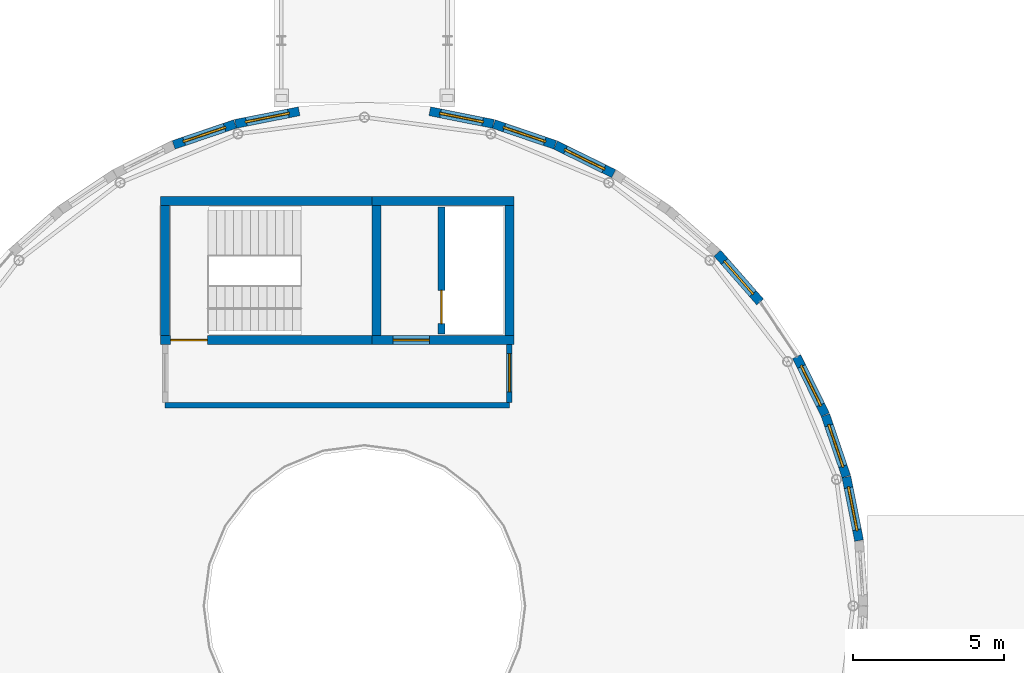
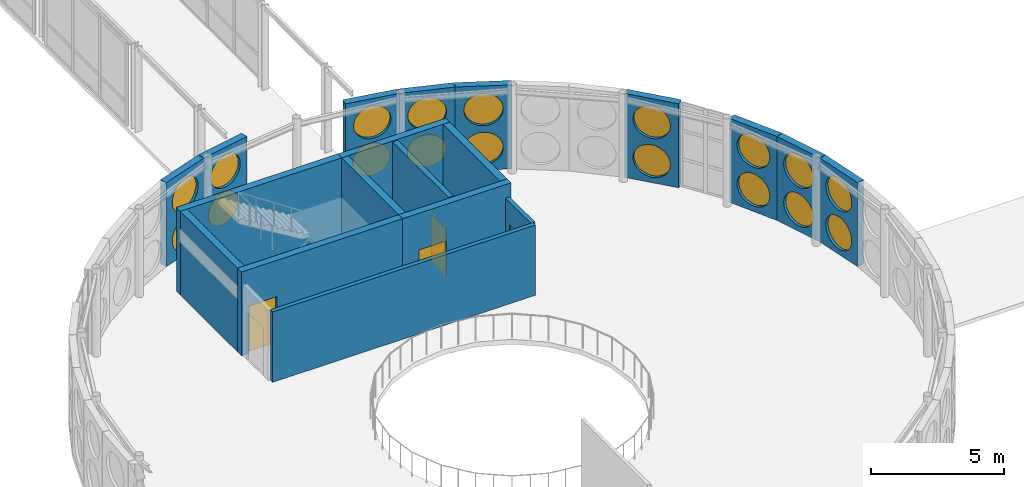
# One storey, part 161 of 189: 19 walls, 18 windows, 4 doors, 22 openings.
"""IFC4 building model written with IfcOpenShell, lengths in metres."""

from ifc_helpers import new_model, si_unit, direction, frame, frame_2d, origin, place, context, subcontext, project, spatial, rectangle, circle, extrude, material, layer, layer_set, type_object, element, fill, save


model = new_model("IFC4")

# Units and contexts
model_context = context("Model", 3, precision=1e-05, world=origin(), true_north=direction((0.0, 1.0)))
body_context = subcontext(model_context, "Body", "Model", "MODEL_VIEW")
ifc_project = project(units=[si_unit("LENGTHUNIT", "METRE"), si_unit("AREAUNIT", "SQUARE_METRE"), si_unit("VOLUMEUNIT", "CUBIC_METRE"), si_unit("PLANEANGLEUNIT", "RADIAN"), si_unit("MASSUNIT", "GRAM", prefix="KILO")], contexts=[model_context])

# Site, building, storey
site_placement = place(None, origin())
site = spatial("IfcSite", under=ifc_project, at=site_placement, CompositionType="ELEMENT")
building_placement = place(site_placement, origin())
building = spatial("IfcBuilding", under=site, at=building_placement, Name="Montecoro Central Library", CompositionType="ELEMENT")
storey_placement = place(building_placement, frame((0.0, 0.0, 9.179931640625)))
storey = spatial("IfcBuildingStorey", under=building, at=storey_placement, Name="L02", CompositionType="ELEMENT", Elevation=9.179931640625)

# Wall, openings, windows
ifc_material_1 = material(Name="Travertine Roman Stone and concrete C35/45", Category="masonry")
ifc_layer_1 = layer(ifc_material_1, 0.294921875)
ifc_layer_set_1 = layer_set([ifc_layer_1], Name="Travertine Roman Stone and concrete C35/45")
wall_type_1 = type_object("IfcWallType", Name="EW-DRM-295", PredefinedType="SOLIDWALL", material=ifc_layer_set_1)
wall_1_placement = place(storey_placement, frame((107.97705078125, 37.56396484375, 0.0), z_axis=(0.0, 0.0, 1.0), x_axis=(-0.194846526766, 0.980833742796, 0.0)))
wall_1 = element("IfcWall", 1, at=wall_1_placement, inside=storey, type_object=wall_type_1, Name="V1-L02-EW-02", PredefinedType="SOLIDWALL", context=body_context, shape_type="SweptSolid", body=[
    extrude(rectangle(XDim=2.14501953125, YDim=0.294921875, at=frame_2d((1.072509765625, 0.0))), origin(), (0.0, 0.0, 1.0), 3.85498046875),
])
opening_1_placement = place(wall_1_placement, frame((0.3330078125, 0.0, 0.25)))
opening_1 = element("IfcOpeningElement", 2, at=opening_1_placement, cuts=wall_1, Name="Opening WP-03", PredefinedType="OPENING", context=body_context, shape_type="SweptSolid", body=[
    extrude(circle(Radius=0.739990234375, at=frame_2d((0.739990234375, 0.739990234375))), frame((0.0, 0.157470703125, 0.0), z_axis=(0.0, -1.0, 0.0), x_axis=(1.0, 0.0, 0.0)), (0.0, 0.0, 1.0), 0.31494140625),
])
opening_2_placement = place(wall_1_placement, frame((0.3330078125, 0.0, 2.030029296875)))
opening_2 = element("IfcOpeningElement", 3, at=opening_2_placement, cuts=wall_1, Name="Opening WP-04", PredefinedType="OPENING", context=body_context, shape_type="SweptSolid", body=[
    extrude(circle(Radius=0.739990234375, at=frame_2d((0.739990234375, 0.739990234375))), frame((0.0, 0.157470703125, 0.0), z_axis=(0.0, -1.0, 0.0), x_axis=(1.0, 0.0, 0.0)), (0.0, 0.0, 1.0), 0.31494140625),
])
ifc_material_2 = material(Name="Clear sky-blue low-E laminated glazing", Category="glass")
window_type_1 = type_object("IfcWindowType", Name="WN-POR-CLR-148", PartitioningType="SINGLE_PANEL", PredefinedType="WINDOW", material=ifc_material_2)
window_1_placement = place(opening_1_placement, origin())
window_1 = element("IfcWindow", 4, at=window_1_placement, inside=storey, type_object=window_type_1, Name="V1-L02-WP-02-1", OverallHeight=1.47998046875, OverallWidth=1.47998046875, PartitioningType="SINGLE_PANEL", PredefinedType="WINDOW", context=body_context, shape_type="SweptSolid", body=[
    extrude(circle(Radius=0.739990234375, at=frame_2d((0.739990234375, 0.739990234375))), frame((0.0, 0.030029296875, 0.0), z_axis=(0.0, -1.0, 0.0), x_axis=(1.0, 0.0, 0.0)), (0.0, 0.0, 1.0), 0.06005859375),
])
fill(opening_1, window_1)
ifc_material_3 = material(Name="Frosted pearl-white ceramic-fritted glazing", Category="glass")
window_type_2 = type_object("IfcWindowType", Name="WN-POR-FRT-148", PartitioningType="SINGLE_PANEL", PredefinedType="WINDOW", material=ifc_material_3)
window_2_placement = place(opening_2_placement, origin())
window_2 = element("IfcWindow", 5, at=window_2_placement, inside=storey, type_object=window_type_2, Name="V1-L02-WP-02-2", OverallHeight=1.47998046875, OverallWidth=1.47998046875, PartitioningType="SINGLE_PANEL", PredefinedType="WINDOW", context=body_context, shape_type="SweptSolid", body=[
    extrude(circle(Radius=0.739990234375, at=frame_2d((0.739990234375, 0.739990234375))), frame((0.0, 0.030029296875, 0.0), z_axis=(0.0, -1.0, 0.0), x_axis=(1.0, 0.0, 0.0)), (0.0, 0.0, 1.0), 0.06005859375),
])
fill(opening_2, window_2)

wall_2_placement = place(storey_placement, frame((107.553955078125, 39.68408203125, 0.0), z_axis=(0.0, 0.0, 1.0), x_axis=(-0.321382058047, 0.946949614692, 0.0)))
wall_2 = element("IfcWall", 6, at=wall_2_placement, inside=storey, type_object=wall_type_1, Name="V1-L02-EW-03", PredefinedType="SOLIDWALL", context=body_context, shape_type="SweptSolid", body=[
    extrude(rectangle(XDim=2.143798828125, YDim=0.294921875, at=frame_2d((1.07177734375, 0.0))), origin(), (0.0, 0.0, 1.0), 3.85498046875),
])
opening_3_placement = place(wall_2_placement, frame((0.33203125, 0.0, 0.25)))
opening_3 = element("IfcOpeningElement", 7, at=opening_3_placement, cuts=wall_2, Name="Opening WP-04", PredefinedType="OPENING", context=body_context, shape_type="SweptSolid", body=[
    extrude(circle(Radius=0.739990234375, at=frame_2d((0.739990234375, 0.739990234375))), frame((0.0, 0.157470703125, 0.0), z_axis=(0.0, -1.0, 0.0), x_axis=(1.0, 0.0, 0.0)), (0.0, 0.0, 1.0), 0.31494140625),
])
opening_4_placement = place(wall_2_placement, frame((0.33203125, 0.0, 2.030029296875)))
opening_4 = element("IfcOpeningElement", 8, at=opening_4_placement, cuts=wall_2, Name="Opening WP-03", PredefinedType="OPENING", context=body_context, shape_type="SweptSolid", body=[
    extrude(circle(Radius=0.739990234375, at=frame_2d((0.739990234375, 0.739990234375))), frame((0.0, 0.157470703125, 0.0), z_axis=(0.0, -1.0, 0.0), x_axis=(1.0, 0.0, 0.0)), (0.0, 0.0, 1.0), 0.31494140625),
])
window_3_placement = place(opening_4_placement, origin())
window_3 = element("IfcWindow", 9, at=window_3_placement, inside=storey, type_object=window_type_1, Name="V1-L02-WP-03-2", OverallHeight=1.47998046875, OverallWidth=1.47998046875, PartitioningType="SINGLE_PANEL", PredefinedType="WINDOW", context=body_context, shape_type="SweptSolid", body=[
    extrude(circle(Radius=0.739990234375, at=frame_2d((0.739990234375, 0.739990234375))), frame((0.0, 0.030029296875, 0.0), z_axis=(0.0, -1.0, 0.0), x_axis=(1.0, 0.0, 0.0)), (0.0, 0.0, 1.0), 0.06005859375),
])
fill(opening_4, window_3)
window_4_placement = place(opening_3_placement, origin())
window_4 = element("IfcWindow", 10, at=window_4_placement, inside=storey, type_object=window_type_2, Name="V1-L02-WP-03-1", OverallHeight=1.47998046875, OverallWidth=1.47998046875, PartitioningType="SINGLE_PANEL", PredefinedType="WINDOW", context=body_context, shape_type="SweptSolid", body=[
    extrude(circle(Radius=0.739990234375, at=frame_2d((0.739990234375, 0.739990234375))), frame((0.0, 0.030029296875, 0.0), z_axis=(0.0, -1.0, 0.0), x_axis=(1.0, 0.0, 0.0)), (0.0, 0.0, 1.0), 0.06005859375),
])
fill(opening_3, window_4)

wall_3_placement = place(storey_placement, frame((106.85791015625, 41.72900390625, 0.0), z_axis=(0.0, 0.0, 1.0), x_axis=(-0.441603666205, 0.897210232885, 0.0)))
wall_3 = element("IfcWall", 11, at=wall_3_placement, inside=storey, type_object=wall_type_1, Name="V1-L02-EW-04", PredefinedType="SOLIDWALL", context=body_context, shape_type="SweptSolid", body=[
    extrude(rectangle(XDim=2.14453125, YDim=0.294921875, at=frame_2d((1.072265625, 0.0))), origin(), (0.0, 0.0, 1.0), 3.85498046875),
])
opening_5_placement = place(wall_3_placement, frame((0.33203125, 0.0, 0.25)))
opening_5 = element("IfcOpeningElement", 12, at=opening_5_placement, cuts=wall_3, Name="Opening WP-03", PredefinedType="OPENING", context=body_context, shape_type="SweptSolid", body=[
    extrude(circle(Radius=0.739990234375, at=frame_2d((0.739990234375, 0.739990234375))), frame((0.0, 0.157470703125, 0.0), z_axis=(0.0, -1.0, 0.0), x_axis=(1.0, 0.0, 0.0)), (0.0, 0.0, 1.0), 0.31494140625),
])
opening_6_placement = place(wall_3_placement, frame((0.33203125, 0.0, 2.030029296875)))
opening_6 = element("IfcOpeningElement", 13, at=opening_6_placement, cuts=wall_3, Name="Opening WP-04", PredefinedType="OPENING", context=body_context, shape_type="SweptSolid", body=[
    extrude(circle(Radius=0.739990234375, at=frame_2d((0.739990234375, 0.739990234375))), frame((0.0, 0.157470703125, 0.0), z_axis=(0.0, -1.0, 0.0), x_axis=(1.0, 0.0, 0.0)), (0.0, 0.0, 1.0), 0.31494140625),
])
window_5_placement = place(opening_5_placement, origin())
window_5 = element("IfcWindow", 14, at=window_5_placement, inside=storey, type_object=window_type_1, Name="V1-L02-WP-04-1", OverallHeight=1.47998046875, OverallWidth=1.47998046875, PartitioningType="SINGLE_PANEL", PredefinedType="WINDOW", context=body_context, shape_type="SweptSolid", body=[
    extrude(circle(Radius=0.739990234375, at=frame_2d((0.739990234375, 0.739990234375))), frame((0.0, 0.030029296875, 0.0), z_axis=(0.0, -1.0, 0.0), x_axis=(1.0, 0.0, 0.0)), (0.0, 0.0, 1.0), 0.06005859375),
])
fill(opening_5, window_5)
window_6_placement = place(opening_6_placement, origin())
window_6 = element("IfcWindow", 15, at=window_6_placement, inside=storey, type_object=window_type_2, Name="V1-L02-WP-04-2", OverallHeight=1.47998046875, OverallWidth=1.47998046875, PartitioningType="SINGLE_PANEL", PredefinedType="WINDOW", context=body_context, shape_type="SweptSolid", body=[
    extrude(circle(Radius=0.739990234375, at=frame_2d((0.739990234375, 0.739990234375))), frame((0.0, 0.030029296875, 0.0), z_axis=(0.0, -1.0, 0.0), x_axis=(1.0, 0.0, 0.0)), (0.0, 0.0, 1.0), 0.06005859375),
])
fill(opening_6, window_6)

wall_4_placement = place(storey_placement, frame((104.700927734375, 45.462890625, 0.0), z_axis=(0.0, 0.0, 1.0), x_axis=(-0.659688303725, 0.751539314958, 0.0)))
wall_4 = element("IfcWall", 16, at=wall_4_placement, inside=storey, type_object=wall_type_1, Name="V1-L02-EW-06", PredefinedType="SOLIDWALL", context=body_context, shape_type="SweptSolid", body=[
    extrude(rectangle(XDim=2.14501953125, YDim=0.294921875, at=frame_2d((1.072509765625, 0.0))), origin(), (0.0, 0.0, 1.0), 3.85498046875),
])
opening_7_placement = place(wall_4_placement, frame((0.33203125, 0.0, 0.25)))
opening_7 = element("IfcOpeningElement", 17, at=opening_7_placement, cuts=wall_4, Name="Opening WP-03", PredefinedType="OPENING", context=body_context, shape_type="SweptSolid", body=[
    extrude(circle(Radius=0.739990234375, at=frame_2d((0.739990234375, 0.739990234375))), frame((0.0, 0.157470703125, 0.0), z_axis=(0.0, -1.0, 0.0), x_axis=(1.0, 0.0, 0.0)), (0.0, 0.0, 1.0), 0.31494140625),
])
opening_8_placement = place(wall_4_placement, frame((0.33203125, 0.0, 2.030029296875)))
opening_8 = element("IfcOpeningElement", 18, at=opening_8_placement, cuts=wall_4, Name="Opening WP-04", PredefinedType="OPENING", context=body_context, shape_type="SweptSolid", body=[
    extrude(circle(Radius=0.739990234375, at=frame_2d((0.739990234375, 0.739990234375))), frame((0.0, 0.157470703125, 0.0), z_axis=(0.0, -1.0, 0.0), x_axis=(1.0, 0.0, 0.0)), (0.0, 0.0, 1.0), 0.31494140625),
])
window_7_placement = place(opening_7_placement, origin())
window_7 = element("IfcWindow", 19, at=window_7_placement, inside=storey, type_object=window_type_1, Name="V1-L02-WP-06-1", OverallHeight=1.47998046875, OverallWidth=1.47998046875, PartitioningType="SINGLE_PANEL", PredefinedType="WINDOW", context=body_context, shape_type="SweptSolid", body=[
    extrude(circle(Radius=0.739990234375, at=frame_2d((0.739990234375, 0.739990234375))), frame((0.0, 0.030029296875, 0.0), z_axis=(0.0, -1.0, 0.0), x_axis=(1.0, 0.0, 0.0)), (0.0, 0.0, 1.0), 0.06005859375),
])
fill(opening_7, window_7)
window_8_placement = place(opening_8_placement, origin())
window_8 = element("IfcWindow", 20, at=window_8_placement, inside=storey, type_object=window_type_2, Name="V1-L02-WP-06-2", OverallHeight=1.47998046875, OverallWidth=1.47998046875, PartitioningType="SINGLE_PANEL", PredefinedType="WINDOW", context=body_context, shape_type="SweptSolid", body=[
    extrude(circle(Radius=0.739990234375, at=frame_2d((0.739990234375, 0.739990234375))), frame((0.0, 0.030029296875, 0.0), z_axis=(0.0, -1.0, 0.0), x_axis=(1.0, 0.0, 0.0)), (0.0, 0.0, 1.0), 0.06005859375),
])
fill(opening_8, window_8)

wall_5_placement = place(storey_placement, frame((99.85302734375, 49.7109375, 0.0), z_axis=(0.0, 0.0, 1.0), x_axis=(-0.897210232885, 0.441603666205, 0.0)))
wall_5 = element("IfcWall", 21, at=wall_5_placement, inside=storey, type_object=wall_type_1, Name="V1-L02-EW-09", PredefinedType="SOLIDWALL", context=body_context, shape_type="SweptSolid", body=[
    extrude(rectangle(XDim=2.14453125, YDim=0.294921875, at=frame_2d((1.072265625, 0.0))), origin(), (0.0, 0.0, 1.0), 3.85498046875),
])
opening_9_placement = place(wall_5_placement, frame((0.33203125, 0.0, 0.25)))
opening_9 = element("IfcOpeningElement", 22, at=opening_9_placement, cuts=wall_5, Name="Opening WP-04", PredefinedType="OPENING", context=body_context, shape_type="SweptSolid", body=[
    extrude(circle(Radius=0.739990234375, at=frame_2d((0.739990234375, 0.739990234375))), frame((0.0, 0.157470703125, 0.0), z_axis=(0.0, -1.0, 0.0), x_axis=(1.0, 0.0, 0.0)), (0.0, 0.0, 1.0), 0.31494140625),
])
opening_10_placement = place(wall_5_placement, frame((0.33203125, 0.0, 2.030029296875)))
opening_10 = element("IfcOpeningElement", 23, at=opening_10_placement, cuts=wall_5, Name="Opening WP-03", PredefinedType="OPENING", context=body_context, shape_type="SweptSolid", body=[
    extrude(circle(Radius=0.739990234375, at=frame_2d((0.739990234375, 0.739990234375))), frame((0.0, 0.157470703125, 0.0), z_axis=(0.0, -1.0, 0.0), x_axis=(1.0, 0.0, 0.0)), (0.0, 0.0, 1.0), 0.31494140625),
])
window_9_placement = place(opening_10_placement, origin())
window_9 = element("IfcWindow", 24, at=window_9_placement, inside=storey, type_object=window_type_1, Name="V1-L02-WP-09-2", OverallHeight=1.47998046875, OverallWidth=1.47998046875, PartitioningType="SINGLE_PANEL", PredefinedType="WINDOW", context=body_context, shape_type="SweptSolid", body=[
    extrude(circle(Radius=0.739990234375, at=frame_2d((0.739990234375, 0.739990234375))), frame((0.0, 0.030029296875, 0.0), z_axis=(0.0, -1.0, 0.0), x_axis=(1.0, 0.0, 0.0)), (0.0, 0.0, 1.0), 0.06005859375),
])
fill(opening_10, window_9)
window_10_placement = place(opening_9_placement, origin())
window_10 = element("IfcWindow", 25, at=window_10_placement, inside=storey, type_object=window_type_2, Name="V1-L02-WP-09-1", OverallHeight=1.47998046875, OverallWidth=1.47998046875, PartitioningType="SINGLE_PANEL", PredefinedType="WINDOW", context=body_context, shape_type="SweptSolid", body=[
    extrude(circle(Radius=0.739990234375, at=frame_2d((0.739990234375, 0.739990234375))), frame((0.0, 0.030029296875, 0.0), z_axis=(0.0, -1.0, 0.0), x_axis=(1.0, 0.0, 0.0)), (0.0, 0.0, 1.0), 0.06005859375),
])
fill(opening_9, window_10)

wall_6_placement = place(storey_placement, frame((97.9140625, 50.6650390625, 0.0), z_axis=(0.0, 0.0, 1.0), x_axis=(-0.946949614692, 0.321382058047, 0.0)))
wall_6 = element("IfcWall", 26, at=wall_6_placement, inside=storey, type_object=wall_type_1, Name="V1-L02-EW-10", PredefinedType="SOLIDWALL", context=body_context, shape_type="SweptSolid", body=[
    extrude(rectangle(XDim=2.143798828125, YDim=0.294921875, at=frame_2d((1.07177734375, 0.0))), origin(), (0.0, 0.0, 1.0), 3.85498046875),
])
opening_11_placement = place(wall_6_placement, frame((0.33203125, 0.0, 0.25)))
opening_11 = element("IfcOpeningElement", 27, at=opening_11_placement, cuts=wall_6, Name="Opening WP-03", PredefinedType="OPENING", context=body_context, shape_type="SweptSolid", body=[
    extrude(circle(Radius=0.739990234375, at=frame_2d((0.739990234375, 0.739990234375))), frame((0.0, 0.157470703125, 0.0), z_axis=(0.0, -1.0, 0.0), x_axis=(1.0, 0.0, 0.0)), (0.0, 0.0, 1.0), 0.31494140625),
])
opening_12_placement = place(wall_6_placement, frame((0.33203125, 0.0, 2.030029296875)))
opening_12 = element("IfcOpeningElement", 28, at=opening_12_placement, cuts=wall_6, Name="Opening WP-04", PredefinedType="OPENING", context=body_context, shape_type="SweptSolid", body=[
    extrude(circle(Radius=0.739990234375, at=frame_2d((0.739990234375, 0.739990234375))), frame((0.0, 0.157470703125, 0.0), z_axis=(0.0, -1.0, 0.0), x_axis=(1.0, 0.0, 0.0)), (0.0, 0.0, 1.0), 0.31494140625),
])
window_11_placement = place(opening_11_placement, origin())
window_11 = element("IfcWindow", 29, at=window_11_placement, inside=storey, type_object=window_type_1, Name="V1-L02-WP-10-1", OverallHeight=1.47998046875, OverallWidth=1.47998046875, PartitioningType="SINGLE_PANEL", PredefinedType="WINDOW", context=body_context, shape_type="SweptSolid", body=[
    extrude(circle(Radius=0.739990234375, at=frame_2d((0.739990234375, 0.739990234375))), frame((0.0, 0.030029296875, 0.0), z_axis=(0.0, -1.0, 0.0), x_axis=(1.0, 0.0, 0.0)), (0.0, 0.0, 1.0), 0.06005859375),
])
fill(opening_11, window_11)
window_12_placement = place(opening_12_placement, origin())
window_12 = element("IfcWindow", 30, at=window_12_placement, inside=storey, type_object=window_type_2, Name="V1-L02-WP-10-2", OverallHeight=1.47998046875, OverallWidth=1.47998046875, PartitioningType="SINGLE_PANEL", PredefinedType="WINDOW", context=body_context, shape_type="SweptSolid", body=[
    extrude(circle(Radius=0.739990234375, at=frame_2d((0.739990234375, 0.739990234375))), frame((0.0, 0.030029296875, 0.0), z_axis=(0.0, -1.0, 0.0), x_axis=(1.0, 0.0, 0.0)), (0.0, 0.0, 1.0), 0.06005859375),
])
fill(opening_12, window_12)

wall_7_placement = place(storey_placement, frame((95.867919921875, 51.35888671875, 0.0), z_axis=(0.0, 0.0, 1.0), x_axis=(-0.98081198628, 0.194956014446, 0.0)))
wall_7 = element("IfcWall", 31, at=wall_7_placement, inside=storey, type_object=wall_type_1, Name="V1-L02-EW-11", PredefinedType="SOLIDWALL", context=body_context, shape_type="SweptSolid", body=[
    extrude(rectangle(XDim=2.145263671875, YDim=0.294921875, at=frame_2d((1.07275390625, 0.0))), origin(), (0.0, 0.0, 1.0), 3.85498046875),
])
opening_13_placement = place(wall_7_placement, frame((0.3330078125, 0.0, 0.25)))
opening_13 = element("IfcOpeningElement", 32, at=opening_13_placement, cuts=wall_7, Name="Opening WP-04", PredefinedType="OPENING", context=body_context, shape_type="SweptSolid", body=[
    extrude(circle(Radius=0.739990234375, at=frame_2d((0.739990234375, 0.739990234375))), frame((0.0, 0.157470703125, 0.0), z_axis=(0.0, -1.0, 0.0), x_axis=(1.0, 0.0, 0.0)), (0.0, 0.0, 1.0), 0.31494140625),
])
opening_14_placement = place(wall_7_placement, frame((0.3330078125, 0.0, 2.030029296875)))
opening_14 = element("IfcOpeningElement", 33, at=opening_14_placement, cuts=wall_7, Name="Opening WP-03", PredefinedType="OPENING", context=body_context, shape_type="SweptSolid", body=[
    extrude(circle(Radius=0.739990234375, at=frame_2d((0.739990234375, 0.739990234375))), frame((0.0, 0.157470703125, 0.0), z_axis=(0.0, -1.0, 0.0), x_axis=(1.0, 0.0, 0.0)), (0.0, 0.0, 1.0), 0.31494140625),
])
window_13_placement = place(opening_14_placement, origin())
window_13 = element("IfcWindow", 34, at=window_13_placement, inside=storey, type_object=window_type_1, Name="V1-L02-WP-11-2", OverallHeight=1.47998046875, OverallWidth=1.47998046875, PartitioningType="SINGLE_PANEL", PredefinedType="WINDOW", context=body_context, shape_type="SweptSolid", body=[
    extrude(circle(Radius=0.739990234375, at=frame_2d((0.739990234375, 0.739990234375))), frame((0.0, 0.030029296875, 0.0), z_axis=(0.0, -1.0, 0.0), x_axis=(1.0, 0.0, 0.0)), (0.0, 0.0, 1.0), 0.06005859375),
])
fill(opening_14, window_13)
window_14_placement = place(opening_13_placement, origin())
window_14 = element("IfcWindow", 35, at=window_14_placement, inside=storey, type_object=window_type_2, Name="V1-L02-WP-11-1", OverallHeight=1.47998046875, OverallWidth=1.47998046875, PartitioningType="SINGLE_PANEL", PredefinedType="WINDOW", context=body_context, shape_type="SweptSolid", body=[
    extrude(circle(Radius=0.739990234375, at=frame_2d((0.739990234375, 0.739990234375))), frame((0.0, 0.030029296875, 0.0), z_axis=(0.0, -1.0, 0.0), x_axis=(1.0, 0.0, 0.0)), (0.0, 0.0, 1.0), 0.06005859375),
])
fill(opening_13, window_14)

wall_8_placement = place(storey_placement, frame((89.43603515625, 51.777099609375, 0.0), z_axis=(0.0, 0.0, 1.0), x_axis=(-0.98081198628, -0.194956014446, 0.0)))
wall_8 = element("IfcWall", 36, at=wall_8_placement, inside=storey, type_object=wall_type_1, Name="V1-L02-EW-14", PredefinedType="SOLIDWALL", context=body_context, shape_type="SweptSolid", body=[
    extrude(rectangle(XDim=2.145263671875, YDim=0.294921875, at=frame_2d((1.07275390625, 0.0))), origin(), (0.0, 0.0, 1.0), 3.85498046875),
])
opening_15_placement = place(wall_8_placement, frame((0.3330078125, 0.0, 0.25)))
opening_15 = element("IfcOpeningElement", 37, at=opening_15_placement, cuts=wall_8, Name="Opening WP-03", PredefinedType="OPENING", context=body_context, shape_type="SweptSolid", body=[
    extrude(circle(Radius=0.739990234375, at=frame_2d((0.739990234375, 0.739990234375))), frame((0.0, 0.157470703125, 0.0), z_axis=(0.0, -1.0, 0.0), x_axis=(1.0, 0.0, 0.0)), (0.0, 0.0, 1.0), 0.31494140625),
])
opening_16_placement = place(wall_8_placement, frame((0.3330078125, 0.0, 2.030029296875)))
opening_16 = element("IfcOpeningElement", 38, at=opening_16_placement, cuts=wall_8, Name="Opening WP-04", PredefinedType="OPENING", context=body_context, shape_type="SweptSolid", body=[
    extrude(circle(Radius=0.739990234375, at=frame_2d((0.739990234375, 0.739990234375))), frame((0.0, 0.157470703125, 0.0), z_axis=(0.0, -1.0, 0.0), x_axis=(1.0, 0.0, 0.0)), (0.0, 0.0, 1.0), 0.31494140625),
])
window_15_placement = place(opening_15_placement, origin())
window_15 = element("IfcWindow", 39, at=window_15_placement, inside=storey, type_object=window_type_1, Name="V1-L02-WP-14-1", OverallHeight=1.47998046875, OverallWidth=1.47998046875, PartitioningType="SINGLE_PANEL", PredefinedType="WINDOW", context=body_context, shape_type="SweptSolid", body=[
    extrude(circle(Radius=0.739990234375, at=frame_2d((0.739990234375, 0.739990234375))), frame((0.0, 0.030029296875, 0.0), z_axis=(0.0, -1.0, 0.0), x_axis=(1.0, 0.0, 0.0)), (0.0, 0.0, 1.0), 0.06005859375),
])
fill(opening_15, window_15)
window_16_placement = place(opening_16_placement, origin())
window_16 = element("IfcWindow", 40, at=window_16_placement, inside=storey, type_object=window_type_2, Name="V1-L02-WP-14-2", OverallHeight=1.47998046875, OverallWidth=1.47998046875, PartitioningType="SINGLE_PANEL", PredefinedType="WINDOW", context=body_context, shape_type="SweptSolid", body=[
    extrude(circle(Radius=0.739990234375, at=frame_2d((0.739990234375, 0.739990234375))), frame((0.0, 0.030029296875, 0.0), z_axis=(0.0, -1.0, 0.0), x_axis=(1.0, 0.0, 0.0)), (0.0, 0.0, 1.0), 0.06005859375),
])
fill(opening_16, window_16)

wall_9_placement = place(storey_placement, frame((87.31591796875, 51.35400390625, 0.0), z_axis=(0.0, 0.0, 1.0), x_axis=(-0.946949614692, -0.321382058047, 0.0)))
wall_9 = element("IfcWall", 41, at=wall_9_placement, inside=storey, type_object=wall_type_1, Name="V1-L02-EW-15", PredefinedType="SOLIDWALL", context=body_context, shape_type="SweptSolid", body=[
    extrude(rectangle(XDim=2.143798828125, YDim=0.294921875, at=frame_2d((1.07177734375, 0.0))), origin(), (0.0, 0.0, 1.0), 3.85498046875),
])
opening_17_placement = place(wall_9_placement, frame((0.33203125, 0.0, 0.25)))
opening_17 = element("IfcOpeningElement", 42, at=opening_17_placement, cuts=wall_9, Name="Opening WP-04", PredefinedType="OPENING", context=body_context, shape_type="SweptSolid", body=[
    extrude(circle(Radius=0.739990234375, at=frame_2d((0.739990234375, 0.739990234375))), frame((0.0, 0.157470703125, 0.0), z_axis=(0.0, -1.0, 0.0), x_axis=(1.0, 0.0, 0.0)), (0.0, 0.0, 1.0), 0.31494140625),
])
opening_18_placement = place(wall_9_placement, frame((0.33203125, 0.0, 2.030029296875)))
opening_18 = element("IfcOpeningElement", 43, at=opening_18_placement, cuts=wall_9, Name="Opening WP-03", PredefinedType="OPENING", context=body_context, shape_type="SweptSolid", body=[
    extrude(circle(Radius=0.739990234375, at=frame_2d((0.739990234375, 0.739990234375))), frame((0.0, 0.157470703125, 0.0), z_axis=(0.0, -1.0, 0.0), x_axis=(1.0, 0.0, 0.0)), (0.0, 0.0, 1.0), 0.31494140625),
])
window_17_placement = place(opening_18_placement, origin())
window_17 = element("IfcWindow", 44, at=window_17_placement, inside=storey, type_object=window_type_1, Name="V1-L02-WP-15-2", OverallHeight=1.47998046875, OverallWidth=1.47998046875, PartitioningType="SINGLE_PANEL", PredefinedType="WINDOW", context=body_context, shape_type="SweptSolid", body=[
    extrude(circle(Radius=0.739990234375, at=frame_2d((0.739990234375, 0.739990234375))), frame((0.0, 0.030029296875, 0.0), z_axis=(0.0, -1.0, 0.0), x_axis=(1.0, 0.0, 0.0)), (0.0, 0.0, 1.0), 0.06005859375),
])
fill(opening_18, window_17)
window_18_placement = place(opening_17_placement, origin())
window_18 = element("IfcWindow", 45, at=window_18_placement, inside=storey, type_object=window_type_2, Name="V1-L02-WP-15-1", OverallHeight=1.47998046875, OverallWidth=1.47998046875, PartitioningType="SINGLE_PANEL", PredefinedType="WINDOW", context=body_context, shape_type="SweptSolid", body=[
    extrude(circle(Radius=0.739990234375, at=frame_2d((0.739990234375, 0.739990234375))), frame((0.0, 0.030029296875, 0.0), z_axis=(0.0, -1.0, 0.0), x_axis=(1.0, 0.0, 0.0)), (0.0, 0.0, 1.0), 0.06005859375),
])
fill(opening_17, window_18)

# Wall
ifc_material_4 = material(Name="Gypsum fire-rated partition")
ifc_layer_2 = layer(ifc_material_4, 0.179931640625)
ifc_layer_set_2 = layer_set([ifc_layer_2], Name="Gypsum fire-rated partition")
wall_type_2 = type_object("IfcWallType", Name="IW-COR-180", PredefinedType="PARTITIONING", material=ifc_layer_set_2)
wall_10_placement = place(storey_placement, frame((85.0, 42.050048828125, 0.0), z_axis=(0.0, 0.0, 1.0), x_axis=(1.0, 0.0, 0.0)))
element("IfcWall", 46, at=wall_10_placement, inside=storey, type_object=wall_type_2, Name="V1-L02-FOY-WS", PredefinedType="PARTITIONING", context=body_context, shape_type="SweptSolid", body=[
    extrude(rectangle(XDim=11.39990234375, YDim=0.179931640625, at=frame_2d((5.699951171875, 0.0))), origin(), (0.0, 0.0, 1.0), 3.22998046875),
])

# Wall, opening, door
wall_11_placement = place(storey_placement, frame((96.39990234375, 42.139892578125, 0.0), z_axis=(0.0, 0.0, 1.0), x_axis=(0.0, 1.0, 0.0)))
wall_11 = element("IfcWall", 47, at=wall_11_placement, inside=storey, type_object=wall_type_2, Name="V1-L02-FOY-WE", PredefinedType="PARTITIONING", context=body_context, shape_type="SweptSolid", body=[
    extrude(rectangle(XDim=1.91015625, YDim=0.179931640625, at=frame_2d((0.955078125, 0.0))), origin(), (0.0, 0.0, 1.0), 3.22998046875),
])
opening_19_placement = place(wall_11_placement, frame((0.35009765625, 0.0, 0.0)))
opening_19 = element("IfcOpeningElement", 48, at=opening_19_placement, cuts=wall_11, Name="Opening ID-09", PredefinedType="OPENING", context=body_context, shape_type="SweptSolid", body=[
    extrude(rectangle(XDim=1.260009765625, YDim=2.199951171875, at=frame_2d((0.6298828125, 1.10009765625))), frame((0.0, 0.099853515625, 0.0), z_axis=(0.0, -1.0, 0.0), x_axis=(1.0, 0.0, 0.0)), (0.0, 0.0, 1.0), 0.199951171875),
])
ifc_material_5 = material(Name="Solid oak and fire-rated steel door", Category="steel")
door_type_1 = type_object("IfcDoorType", Name="ID-RDG-126", OperationType="NOTDEFINED", PredefinedType="DOOR", material=ifc_material_5)
door_1_placement = place(opening_19_placement, origin())
door_1 = element("IfcDoor", 49, at=door_1_placement, inside=storey, type_object=door_type_1, Name="DR-SP-V1-L02-R2", OperationType="SINGLE_SWING_RIGHT", OverallHeight=2.199951171875, OverallWidth=1.260009765625, PredefinedType="DOOR", context=body_context, shape_type="SweptSolid", body=[
    extrude(rectangle(XDim=1.260009765625, YDim=2.199951171875, at=frame_2d((0.6298828125, 1.10009765625))), frame((0.0, 0.02490234375, 0.0), z_axis=(0.0, -1.0, 0.0), x_axis=(1.0, 0.0, 0.0)), (0.0, 0.0, 1.0), 0.050048828125),
])
fill(opening_19, door_1)

ifc_material_6 = material(Name="Concrete C32/40", Category="concrete")
ifc_layer_3 = layer(ifc_material_6, 0.219970703125)
ifc_layer_set_3 = layer_set([ifc_layer_3], Name="Concrete C32/40")
wall_type_3 = type_object("IfcWallType", Name="IW-FFL-220", PredefinedType="SOLIDWALL", material=ifc_layer_set_3)
wall_12_placement = place(storey_placement, frame((94.14990234375, 44.39990234375, 0.0), z_axis=(0.0, 0.0, 1.0), x_axis=(0.0, 1.0, 0.0)))
wall_12 = element("IfcWall", 50, at=wall_12_placement, inside=storey, type_object=wall_type_3, Name="C1-L02-WLSH", PredefinedType="SOLIDWALL", context=body_context, shape_type="SweptSolid", body=[
    extrude(rectangle(XDim=4.2001953125, YDim=0.219970703125, at=frame_2d((2.10009765625, 0.0))), origin(), (0.0, 0.0, 1.0), 3.844970703125),
])
opening_20_placement = place(wall_12_placement, frame((0.35009765625, 0.0, 0.0)))
opening_20 = element("IfcOpeningElement", 51, at=opening_20_placement, cuts=wall_12, Name="Opening LD-01", PredefinedType="OPENING", context=body_context, shape_type="SweptSolid", body=[
    extrude(rectangle(XDim=1.10009765625, YDim=2.14990234375, at=frame_2d((0.550048828125, 1.074951171875))), frame((0.0, 0.119873046875, 0.0), z_axis=(0.0, -1.0, 0.0), x_axis=(1.0, 0.0, 0.0)), (0.0, 0.0, 1.0), 0.239990234375),
])
door_type_2 = type_object("IfcDoorType", Name="LD-LIFT-110", OperationType="NOTDEFINED", PredefinedType="DOOR", material=ifc_material_5)
door_2_placement = place(opening_20_placement, origin())
door_2 = element("IfcDoor", 52, at=door_2_placement, inside=storey, type_object=door_type_2, Name="C1-L02-LD-PL-01", OperationType="SLIDING_TO_LEFT", OverallHeight=2.14990234375, OverallWidth=1.10009765625, PredefinedType="DOOR", context=body_context, shape_type="SweptSolid", body=[
    extrude(rectangle(XDim=1.10009765625, YDim=2.14990234375, at=frame_2d((0.550048828125, 1.074951171875))), frame((0.0, 0.02490234375, 0.0), z_axis=(0.0, -1.0, 0.0), x_axis=(1.0, 0.0, 0.0)), (0.0, 0.0, 1.0), 0.050048828125),
])
fill(opening_20, door_2)

ifc_material_7 = material(Name="Concrete C35/45", Category="concrete")
ifc_layer_4 = layer(ifc_material_7, 0.300048828125)
ifc_layer_set_4 = layer_set([ifc_layer_4], Name="Concrete C35/45")
wall_type_4 = type_object("IfcWallType", Name="IW-SHR-300", PredefinedType="SHEAR", material=ifc_layer_set_4)
wall_13_placement = place(storey_placement, frame((91.85009765625, 44.199951171875, 0.0), z_axis=(0.0, 0.0, 1.0), x_axis=(1.0, 0.0, 0.0)))
wall_13 = element("IfcWall", 53, at=wall_13_placement, inside=storey, type_object=wall_type_4, Name="C1-L02-LWS", PredefinedType="SHEAR", context=body_context, shape_type="SweptSolid", body=[
    extrude(rectangle(XDim=4.699951171875, YDim=0.300048828125, at=frame_2d((2.35009765625, 0.0))), origin(), (0.0, 0.0, 1.0), 3.844970703125),
])
opening_21_placement = place(wall_13_placement, frame((0.699951171875, 0.0, 0.0)))
opening_21 = element("IfcOpeningElement", 54, at=opening_21_placement, cuts=wall_13, Name="Opening ID-03", PredefinedType="OPENING", context=body_context, shape_type="SweptSolid", body=[
    extrude(rectangle(XDim=1.199951171875, YDim=2.159912109375, at=frame_2d((0.60009765625, 1.080078125))), frame((0.0, 0.159912109375, 0.0), z_axis=(0.0, -1.0, 0.0), x_axis=(1.0, 0.0, 0.0)), (0.0, 0.0, 1.0), 0.320068359375),
])
door_type_3 = type_object("IfcDoorType", Name="ID-FFL-120", OperationType="NOTDEFINED", PredefinedType="DOOR", material=ifc_material_5)
door_3_placement = place(opening_21_placement, origin())
door_3 = element("IfcDoor", 55, at=door_3_placement, inside=storey, type_object=door_type_3, Name="C1-L02-DLOB", OperationType="SINGLE_SWING_LEFT", OverallHeight=2.159912109375, OverallWidth=1.199951171875, PredefinedType="DOOR", context=body_context, shape_type="SweptSolid", body=[
    extrude(rectangle(XDim=1.199951171875, YDim=2.159912109375, at=frame_2d((0.60009765625, 1.080078125))), frame((0.0, 0.02490234375, 0.0), z_axis=(0.0, -1.0, 0.0), x_axis=(1.0, 0.0, 0.0)), (0.0, 0.0, 1.0), 0.050048828125),
])
fill(opening_21, door_3)

# Walls
wall_14_placement = place(storey_placement, frame((96.550048828125, 48.800048828125, 0.0), z_axis=(0.0, 0.0, 1.0), x_axis=(-1.0, 0.0, 0.0)))
element("IfcWall", 56, at=wall_14_placement, inside=storey, type_object=wall_type_4, Name="C1-L02-LWN", PredefinedType="SHEAR", context=body_context, shape_type="SweptSolid", body=[
    extrude(rectangle(XDim=4.699951171875, YDim=0.300048828125, at=frame_2d((2.35009765625, 0.0))), origin(), (0.0, 0.0, 1.0), 3.844970703125),
])
wall_15_placement = place(storey_placement, frame((96.39990234375, 44.35009765625, 0.0), z_axis=(0.0, 0.0, 1.0), x_axis=(0.0, 1.0, 0.0)))
element("IfcWall", 57, at=wall_15_placement, inside=storey, type_object=wall_type_4, Name="C1-L02-LWE", PredefinedType="SHEAR", context=body_context, shape_type="SweptSolid", body=[
    extrude(rectangle(XDim=4.2998046875, YDim=0.300048828125, at=frame_2d((2.14990234375, 0.0))), origin(), (0.0, 0.0, 1.0), 3.844970703125),
])

# Wall, opening, door
wall_16_placement = place(storey_placement, frame((84.85009765625, 44.199951171875, 0.0), z_axis=(0.0, 0.0, 1.0), x_axis=(1.0, 0.0, 0.0)))
wall_16 = element("IfcWall", 58, at=wall_16_placement, inside=storey, type_object=wall_type_4, Name="C1-L02-WS", PredefinedType="SHEAR", context=body_context, shape_type="SweptSolid", body=[
    extrude(rectangle(XDim=7.2998046875, YDim=0.300048828125, at=frame_2d((3.64990234375, 0.0))), origin(), (0.0, 0.0, 1.0), 3.844970703125),
])
opening_22_placement = place(wall_16_placement, frame((0.330078125, 0.0, 0.0)))
opening_22 = element("IfcOpeningElement", 59, at=opening_22_placement, cuts=wall_16, Name="Opening ID-01", PredefinedType="OPENING", context=body_context, shape_type="SweptSolid", body=[
    extrude(rectangle(XDim=1.219970703125, YDim=2.179931640625, at=frame_2d((0.60986328125, 1.08984375))), frame((0.0, 0.159912109375, 0.0), z_axis=(0.0, -1.0, 0.0), x_axis=(1.0, 0.0, 0.0)), (0.0, 0.0, 1.0), 0.320068359375),
])
door_type_4 = type_object("IfcDoorType", Name="ID-STR-140", OperationType="NOTDEFINED", PredefinedType="DOOR", material=ifc_material_5)
door_4_placement = place(opening_22_placement, origin())
door_4 = element("IfcDoor", 60, at=door_4_placement, inside=storey, type_object=door_type_4, Name="C1-L02-DSTR", OperationType="SINGLE_SWING_RIGHT", OverallHeight=2.179931640625, OverallWidth=1.219970703125, PredefinedType="DOOR", context=body_context, shape_type="SweptSolid", body=[
    extrude(rectangle(XDim=1.219970703125, YDim=2.179931640625, at=frame_2d((0.60986328125, 1.08984375))), frame((0.0, 0.02490234375, 0.0), z_axis=(0.0, -1.0, 0.0), x_axis=(1.0, 0.0, 0.0)), (0.0, 0.0, 1.0), 0.050048828125),
])
fill(opening_22, door_4)

# Walls
wall_17_placement = place(storey_placement, frame((84.85009765625, 48.800048828125, 0.0), z_axis=(0.0, 0.0, 1.0), x_axis=(1.0, 0.0, 0.0)))
element("IfcWall", 61, at=wall_17_placement, inside=storey, type_object=wall_type_4, Name="C1-L02-WN", PredefinedType="SHEAR", context=body_context, shape_type="SweptSolid", body=[
    extrude(rectangle(XDim=7.2998046875, YDim=0.300048828125, at=frame_2d((3.64990234375, 0.0))), origin(), (0.0, 0.0, 1.0), 3.844970703125),
])
for number, where, z_axis, x_axis, name in (
    (62, (85.0, 44.35009765625, 0.0), (0.0, 0.0, 1.0), (0.0, 1.0, 0.0), "C1-L02-WW"),
    (63, (92.0, 44.35009765625, 0.0), (0.0, 0.0, 1.0), (0.0, 1.0, 0.0), "C1-L02-WE"),
):
    element("IfcWall", number, at=place(storey_placement, frame(where, z_axis=z_axis, x_axis=x_axis)), inside=storey, type_object=wall_type_4, Name=name, PredefinedType="SHEAR", context=body_context, shape_type="SweptSolid", body=[
        extrude(rectangle(XDim=4.2998046875, YDim=0.300048828125, at=frame_2d((2.14990234375, 0.0))), origin(), (0.0, 0.0, 1.0), 3.844970703125),
    ])

save(model, "model.ifc")
